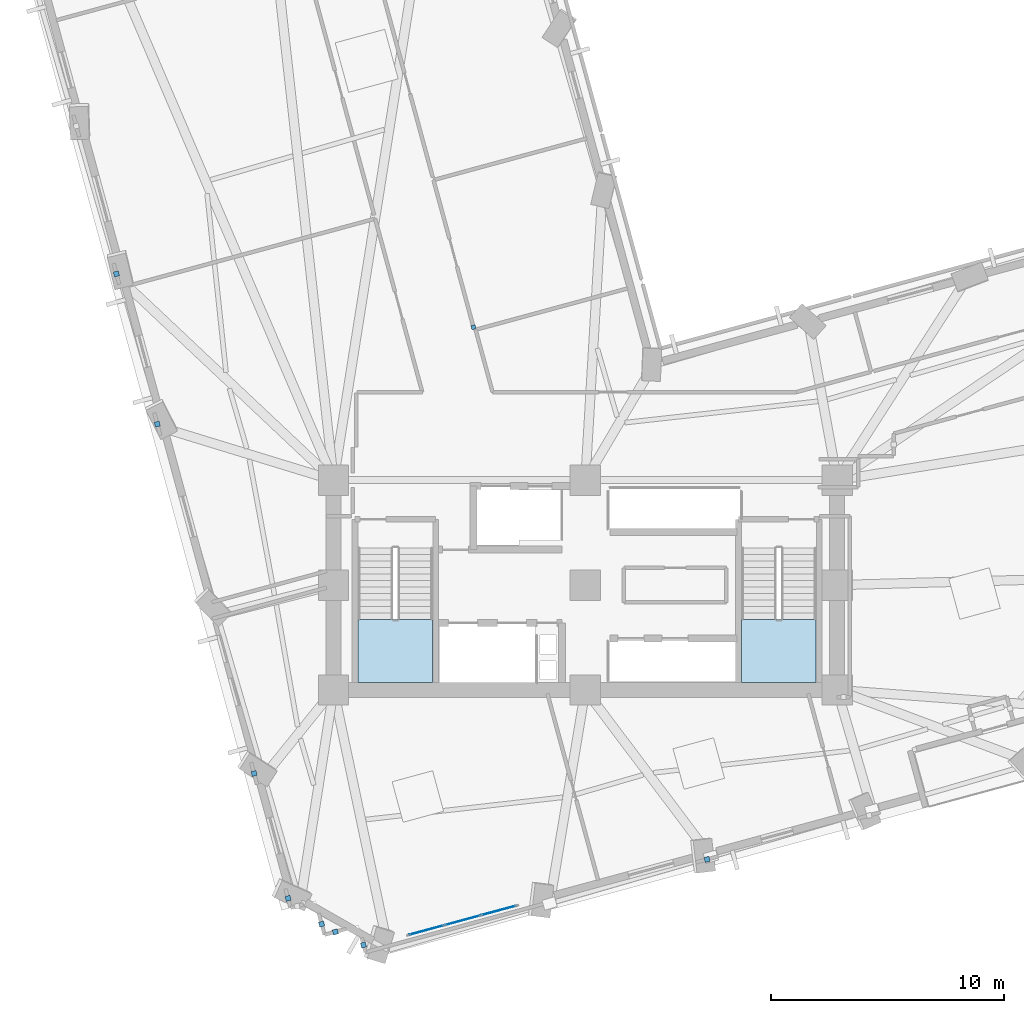
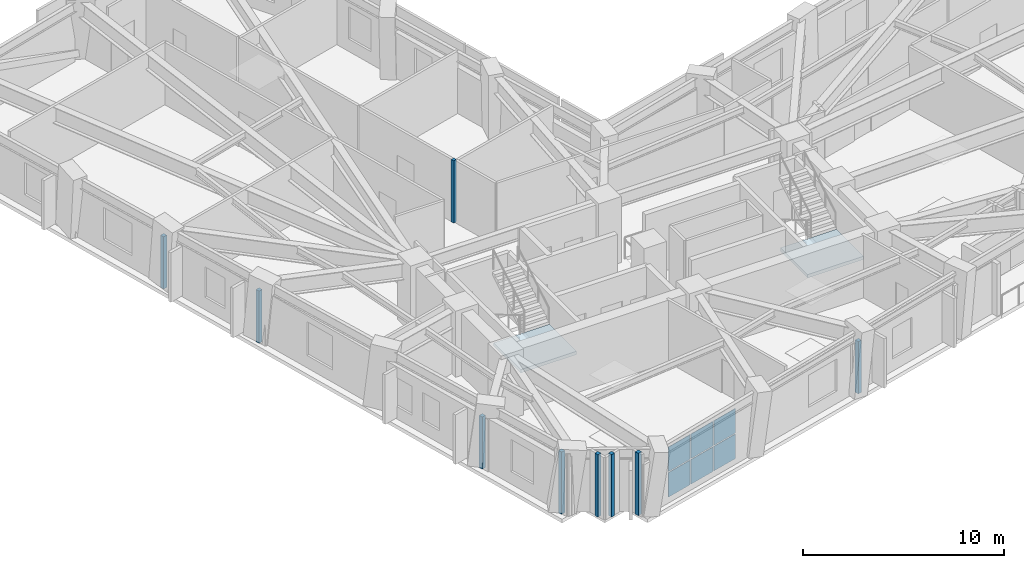
# One storey, part 4 of 15: 15 plates, 2 slabs, 3 elements without a shape of their own.
"""IFC4 building model written with IfcOpenShell, lengths in metres."""

from ifc_helpers import new_model, si_unit, direction, frame, origin, origin_2d, place, context, subcontext, project, spatial, polyline, rectangle, outline, extrude, material, layer, layer_set, type_object, element, aggregate, save


model = new_model("IFC4")

# Units and contexts
model_context = context("Model", 3, precision=1e-05, world=origin(), true_north=direction((0.0, 1.0)))
body_context = subcontext(model_context, "Body", "Model", "MODEL_VIEW")
ifc_project = project(units=[si_unit("LENGTHUNIT", "METRE"), si_unit("AREAUNIT", "SQUARE_METRE"), si_unit("VOLUMEUNIT", "CUBIC_METRE"), si_unit("PLANEANGLEUNIT", "RADIAN"), si_unit("MASSUNIT", "GRAM", prefix="KILO")], contexts=[model_context])

# Site, building, storey
site_placement = place(None, origin())
site = spatial("IfcSite", under=ifc_project, at=site_placement, CompositionType="ELEMENT")
building_placement = place(site_placement, origin())
building = spatial("IfcBuilding", under=site, at=building_placement, Name="Gaonmaruhae Medical Tower", CompositionType="ELEMENT")
storey_placement = place(building_placement, frame((0.0, 0.0, 88.39990234375)))
storey = spatial("IfcBuildingStorey", under=building, at=storey_placement, Name="L20", CompositionType="ELEMENT", Elevation=88.39990234375)

# Curtain wall, plates
ifc_material_1 = material(Name="Anodised aluminium and Low-E double glazing", Category="aluminium")
curtain_wall_type = type_object("IfcCurtainWallType", Name="CW-S4 Setback Sky Garden Wintergarden Curtain Wall", PredefinedType="NOTDEFINED", material=ifc_material_1)
curtain_wall_placement = place(storey_placement, origin())
curtain_wall = element("IfcCurtainWall", 1, at=curtain_wall_placement, inside=storey, type_object=curtain_wall_type, Name="L20 Curtain Wall CW-L20-S01", PredefinedType="NOTDEFINED")
ifc_material_2 = material(Name="Low-E double solar glass", Category="glass")
ifc_layer_1 = layer(ifc_material_2, 0.028076171875)
ifc_layer_set_1 = layer_set([ifc_layer_1], Name="Low-E double solar glass")
plate_type_1 = type_object("IfcPlateType", Name="CWP-V1 Low-E Double Vision Glazing Panel", PredefinedType="CURTAIN_PANEL", material=ifc_layer_set_1)
plate_1_placement = place(storey_placement, frame((21.081787109375, -1.65771484375, 0.06494140625), z_axis=(0.0, 0.0, 1.0), x_axis=(-0.965017316736, -0.262186152189, 0.0)))
plate_1 = element("IfcPlate", 2, at=plate_1_placement, type_object=plate_type_1, Name="CW-S4 panel 1.1", PredefinedType="CURTAIN_PANEL", context=body_context, shape_type="SweptSolid", body=[
    extrude(rectangle(XDim=1.52001953125, YDim=0.028076171875, at=origin_2d()), origin(), (0.0, 0.0, 1.0), 1.485107421875),
])
plate_2_placement = place(storey_placement, frame((21.081787109375, -1.65771484375, 1.615234375), z_axis=(0.0, 0.0, 1.0), x_axis=(-0.965017316736, -0.262186152189, 0.0)))
plate_2 = element("IfcPlate", 3, at=plate_2_placement, type_object=plate_type_1, Name="CW-S4 panel 1.2", PredefinedType="CURTAIN_PANEL", context=body_context, shape_type="SweptSolid", body=[
    extrude(rectangle(XDim=1.52001953125, YDim=0.028076171875, at=origin_2d()), origin(), (0.0, 0.0, 1.0), 1.485107421875),
])
plate_3_placement = place(storey_placement, frame((19.53662109375, -2.07763671875, 0.06494140625), z_axis=(0.0, 0.0, 1.0), x_axis=(-0.965017316736, -0.262186152189, 0.0)))
plate_3 = element("IfcPlate", 4, at=plate_3_placement, type_object=plate_type_1, Name="CW-S4 panel 2.1", PredefinedType="CURTAIN_PANEL", context=body_context, shape_type="SweptSolid", body=[
    extrude(rectangle(XDim=1.552490234375, YDim=0.028076171875, at=origin_2d()), origin(), (0.0, 0.0, 1.0), 1.485107421875),
])
plate_4_placement = place(storey_placement, frame((19.53662109375, -2.07763671875, 1.615234375), z_axis=(0.0, 0.0, 1.0), x_axis=(-0.965017316736, -0.262186152189, 0.0)))
plate_4 = element("IfcPlate", 5, at=plate_4_placement, type_object=plate_type_1, Name="CW-S4 panel 2.2", PredefinedType="CURTAIN_PANEL", context=body_context, shape_type="SweptSolid", body=[
    extrude(rectangle(XDim=1.552490234375, YDim=0.028076171875, at=origin_2d()), origin(), (0.0, 0.0, 1.0), 1.485107421875),
])
plate_5_placement = place(storey_placement, frame((17.9912109375, -2.497314453125, 0.06494140625), z_axis=(0.0, 0.0, 1.0), x_axis=(-0.965017316736, -0.262186152189, 0.0)))
plate_5 = element("IfcPlate", 6, at=plate_5_placement, type_object=plate_type_1, Name="CW-S4 panel 3.1", PredefinedType="CURTAIN_PANEL", context=body_context, shape_type="SweptSolid", body=[
    extrude(rectangle(XDim=1.52001953125, YDim=0.028076171875, at=origin_2d()), origin(), (0.0, 0.0, 1.0), 1.485107421875),
])
plate_6_placement = place(storey_placement, frame((17.9912109375, -2.497314453125, 1.615234375), z_axis=(0.0, 0.0, 1.0), x_axis=(-0.965017316736, -0.262186152189, 0.0)))
plate_6 = element("IfcPlate", 7, at=plate_6_placement, type_object=plate_type_1, Name="CW-S4 panel 3.2", PredefinedType="CURTAIN_PANEL", context=body_context, shape_type="SweptSolid", body=[
    extrude(rectangle(XDim=1.52001953125, YDim=0.028076171875, at=origin_2d()), origin(), (0.0, 0.0, 1.0), 1.485107421875),
])
aggregate(curtain_wall, [plate_1, plate_2, plate_3, plate_4, plate_5, plate_6])

# Plates
ifc_material_3 = material(Name="Anodised aluminium 6063-T6", Category="aluminium")
ifc_layer_2 = layer(ifc_material_3, 0.011962890625)
ifc_layer_set_2 = layer_set([ifc_layer_2], Name="Anodised aluminium 6063-T6")
plate_type_2 = type_object("IfcPlateType", Name="PP-01 Interior Partition Corner Stiffener Plate", PredefinedType="SHEET", material=ifc_layer_set_2)
plate_7_placement = place(storey_placement, frame((20.0009765625, 23.36376953125, 0.0), z_axis=(0.0, 0.0, 1.0), x_axis=(-0.262222863911, 0.965007341756, 0.0)))
element("IfcPlate", 8, at=plate_7_placement, inside=storey, type_object=plate_type_2, Name="L20 Partition End Jamb Post Plate PLT-L20-ENDP-PW072-0", PredefinedType="SHEET", context=body_context, shape_type="SweptSolid", body=[
    extrude(rectangle(XDim=0.179931640625, YDim=0.179931640625, at=origin_2d()), origin(), (0.0, 0.0, 1.0), 3.780029296875),
])
for number, where, z_axis, x_axis, name in (
    (9, (15.284912109375, -3.139892578125, 0.0), (0.0, 0.0, 1.0), (-0.263115407033, 0.964764366352, 0.0), "L20 Partition Corner Stiffener Plate PLT-L20-JGP-PW008"),
    (10, (14.074951171875, -2.577392578125, 0.0), (0.0, 0.0, 1.0), (-0.965171910744, -0.261616480196, 0.0), "L20 Partition Corner Stiffener Plate PLT-L20-JGP-PW009"),
    (11, (13.486083984375, -2.239990234375, 0.0), (0.0, 0.0, 1.0), (-0.262593380791, 0.964906584268, 0.0), "L20 Partition Corner Stiffener Plate PLT-L20-JGP-PW010"),
    (12, (12.04638671875, -1.136962890625, 0.0), (0.0, 0.0, 1.0), (-0.262020747497, 0.965062240418, 0.0), "L20 Partition Corner Stiffener Plate PLT-L20-JGP-PW012"),
):
    element("IfcPlate", number, at=place(storey_placement, frame(where, z_axis=z_axis, x_axis=x_axis)), inside=storey, type_object=plate_type_2, Name=name, PredefinedType="SHEET", context=body_context, shape_type="SweptSolid", body=[
        extrude(rectangle(XDim=0.219970703125, YDim=0.219970703125, at=origin_2d()), origin(), (0.0, 0.0, 1.0), 3.780029296875),
    ])
for number, where, z_axis, x_axis, name in (
    (13, (10.590576171875, 4.220947265625, 0.0), (0.0, 0.0, 1.0), (-0.261970216597, 0.96507595847, 0.0), "L20 Partition Corner Stiffener Plate PLT-L20-JGP-PW013"),
    (14, (30.0224609375, 0.533447265625, 0.0), (0.0, 0.0, 1.0), (-0.964952400763, -0.262424968824, 0.0), "L20 Partition Corner Stiffener Plate PLT-L20-JGP-PW014"),
    (15, (6.43701171875, 19.20458984375, 0.0), (0.0, 0.0, 1.0), (-0.262172335886, 0.96502107039, 0.0), "L20 Partition Corner Stiffener Plate PLT-L20-JGP-PW040"),
    (16, (4.6865234375, 25.64794921875, 0.0), (0.0, 0.0, 1.0), (-0.261751241066, 0.965135372785, 0.0), "L20 Partition Corner Stiffener Plate PLT-L20-JGP-PW046"),
):
    element("IfcPlate", number, at=place(storey_placement, frame(where, z_axis=z_axis, x_axis=x_axis)), inside=storey, type_object=plate_type_2, Name=name, PredefinedType="SHEET", context=body_context, shape_type="SweptSolid", body=[
        extrude(rectangle(XDim=0.219970703125, YDim=0.219970703125, at=origin_2d()), origin(), (0.0, 0.0, 1.0), 3.1650390625),
    ])

# Stair, slab
ifc_material_4 = material(Name="Concrete C40/50", Category="concrete")
stair_type = type_object("IfcStairType", Name="ST-T1 Primary Core Escape Dogleg Stair", PredefinedType="TWO_QUARTER_TURN_STAIR", material=ifc_material_4)
stair_1_placement = place(storey_placement, origin())
stair_1 = element("IfcStair", 17, at=stair_1_placement, inside=storey, type_object=stair_type, Name="L20 Protected Escape Stair ST-01", PredefinedType="TWO_QUARTER_TURN_STAIR")
ifc_layer_3 = layer(ifc_material_4, 0.199951171875)
ifc_layer_set_3 = layer_set([ifc_layer_3], Name="Concrete C40/50")
slab_type = type_object("IfcSlabType", Name="SL-200 Stair & Ramp Intermediate Concrete Landing", PredefinedType="LANDING", material=ifc_layer_set_3)
slab_1_placement = place(storey_placement, frame((0.0, 0.0, 1.800048828125)))
slab_1 = element("IfcSlab", 18, at=slab_1_placement, type_object=slab_type, Name="ST-01 landing 1", PredefinedType="LANDING", context=body_context, shape_type="SweptSolid", body=[
    extrude(outline(polyline([(15.050048828125, 10.820068359375), (15.050048828125, 8.12890625), (18.25, 8.12890625), (18.25, 10.820068359375), (15.050048828125, 10.820068359375)])), origin(), (0.0, 0.0, 1.0), 0.199951171875),
])
aggregate(stair_1, [slab_1])

stair_2_placement = place(storey_placement, origin())
stair_2 = element("IfcStair", 19, at=stair_2_placement, inside=storey, type_object=stair_type, Name="L20 Protected Escape Stair ST-02", PredefinedType="TWO_QUARTER_TURN_STAIR")
slab_2_placement = place(storey_placement, frame((0.0, 0.0, 1.800048828125)))
slab_2 = element("IfcSlab", 20, at=slab_2_placement, type_object=slab_type, Name="ST-02 landing 1", PredefinedType="LANDING", context=body_context, shape_type="SweptSolid", body=[
    extrude(outline(polyline([(31.5, 10.820068359375), (31.5, 8.12890625), (34.699951171875, 8.12890625), (34.699951171875, 10.820068359375), (31.5, 10.820068359375)])), origin(), (0.0, 0.0, 1.0), 0.199951171875),
])
aggregate(stair_2, [slab_2])

save(model, "model.ifc")
